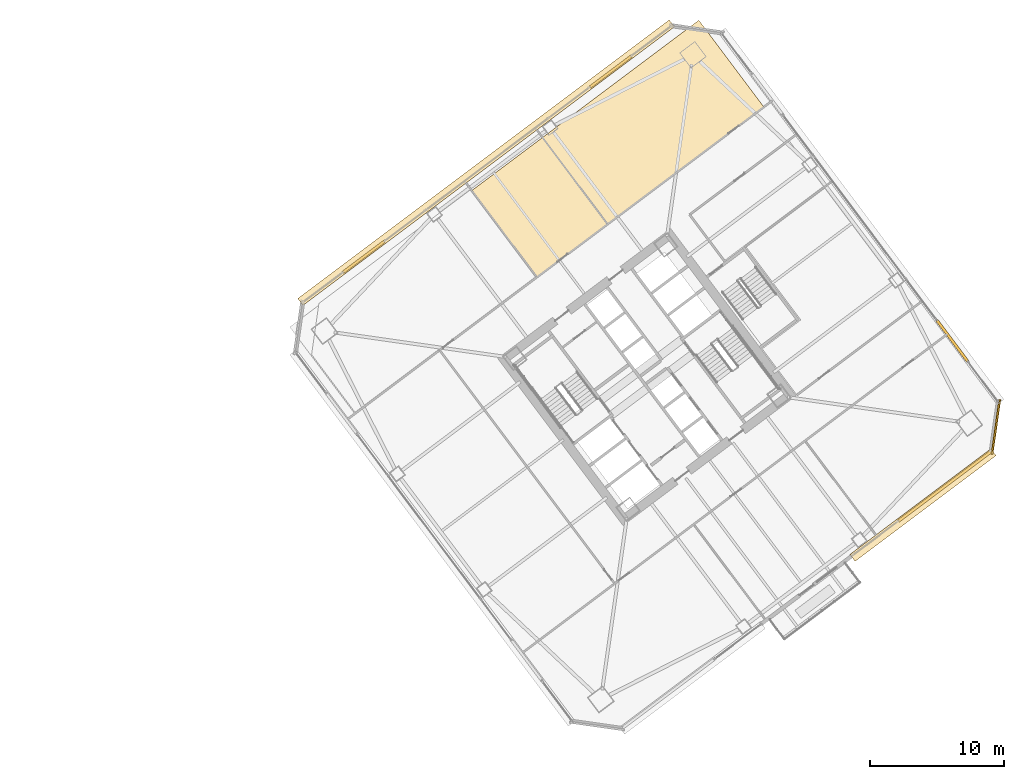
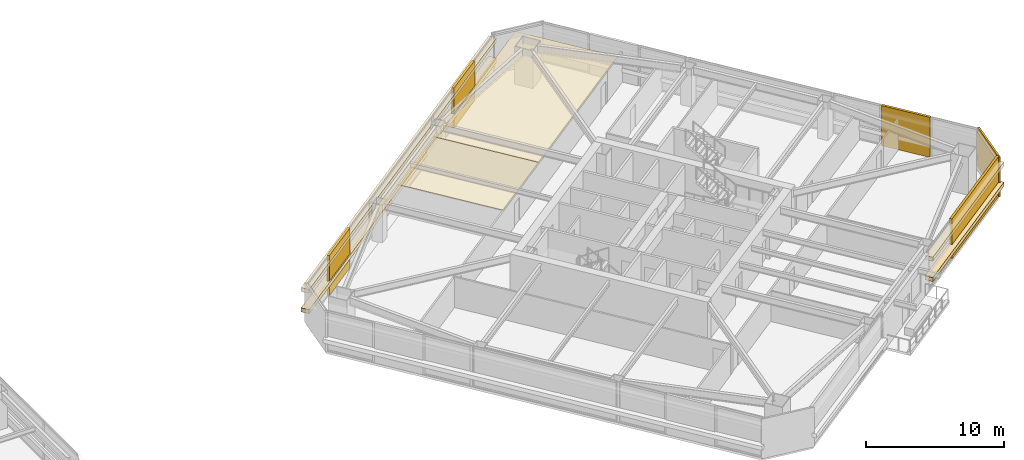
# One storey, part 47 of 48: 11 coverings.
"""IFC4 building model written with IfcOpenShell, lengths in metres."""

from ifc_helpers import new_model, si_unit, direction, frame, origin, origin_2d, place, context, subcontext, project, spatial, polyline, rectangle, outline, extrude, material, layer, layer_set, type_object, element, save


model = new_model("IFC4")

# Units and contexts
model_context = context("Model", 3, precision=1e-05, world=origin(), true_north=direction((0.0, 1.0)))
body_context = subcontext(model_context, "Body", "Model", "MODEL_VIEW")
ifc_project = project(units=[si_unit("LENGTHUNIT", "METRE"), si_unit("AREAUNIT", "SQUARE_METRE"), si_unit("VOLUMEUNIT", "CUBIC_METRE"), si_unit("PLANEANGLEUNIT", "RADIAN"), si_unit("MASSUNIT", "GRAM", prefix="KILO")], contexts=[model_context])

# Site, building, storey
site_placement = place(None, origin())
site = spatial("IfcSite", under=ifc_project, at=site_placement, CompositionType="ELEMENT")
building_placement = place(site_placement, origin())
building = spatial("IfcBuilding", under=site, at=building_placement, Name="Tashvorn Skyway Center", CompositionType="ELEMENT")
storey_placement = place(building_placement, frame((0.0, 0.0, 77.85009765625)))
storey = spatial("IfcBuildingStorey", under=building, at=storey_placement, Name="L20", CompositionType="ELEMENT", Elevation=77.85009765625)

# Coverings
ifc_material_1 = material(Name="Precast concrete C40/50", Category="concrete")
ifc_layer_1 = layer(ifc_material_1, 0.199951171875)
ifc_layer_set_1 = layer_set([ifc_layer_1], Name="Precast concrete C40/50")
covering_type_1 = type_object("IfcCoveringType", Name="COV-BRACE-CLAD", PredefinedType="CLADDING", material=ifc_layer_set_1)
covering_1_placement = place(storey_placement, frame((136.27734375, 23.85791015625, 0.0), z_axis=(0.0, 0.0, 1.0), x_axis=(-0.799999996291, -0.600000004945, 0.0)))
element("IfcCovering", 1, at=covering_1_placement, inside=storey, type_object=covering_type_1, Name="Tower 2 L20 South Curtain Wall L Mega-Brace Cladding Band 1", PredefinedType="CLADDING", context=body_context, shape_type="SweptSolid", body=[
    extrude(rectangle(XDim=8.6865234375, YDim=0.199951171875, at=origin_2d()), origin(), (0.0, 0.0, 1.0), 3.550048828125),
])
for number, where, z_axis, x_axis, name in (
    (2, (92.85595703125, 40.991943359375, 0.0), (0.0, 0.0, 1.0), (0.799999996291, 0.600000004945, 0.0), "Tower 2 L20 North Unitised Curtain Wall Mega-Brace Cladding Band 1"),
    (3, (111.2880859375, 54.81591796875, 0.0), (0.0, 0.0, 1.0), (0.799999996291, 0.600000004945, 0.0), "Tower 2 L20 North Unitised Curtain Wall Mega-Brace Cladding Band 2"),
    (4, (136.81591796875, 34.7119140625, 0.0), (0.0, 0.0, 1.0), (0.600000004945, -0.799999996291, 0.0), "Tower 2 L20 East Unitised Curtain Wall Mega-Brace Cladding Band 2"),
):
    element("IfcCovering", number, at=place(storey_placement, frame(where, z_axis=z_axis, x_axis=x_axis)), inside=storey, type_object=covering_type_1, Name=name, PredefinedType="CLADDING", context=body_context, shape_type="SweptSolid", body=[
        extrude(rectangle(XDim=3.840087890625, YDim=0.199951171875, at=origin_2d()), origin(), (0.0, 0.0, 1.0), 3.550048828125),
    ])
ifc_material_2 = material(Name="Mineral-fibre acoustic ceiling tile on suspended grid")
ifc_layer_2 = layer(ifc_material_2, 0.02001953125)
ifc_layer_set_2 = layer_set([ifc_layer_2], Name="Mineral-fibre acoustic ceiling tile on suspended grid")
covering_type_2 = type_object("IfcCoveringType", Name="COV-CEIL-20", PredefinedType="CEILING", material=ifc_layer_set_2)
covering_2_placement = place(storey_placement, frame((0.0, 0.0, 2.682861328125)))
element("IfcCovering", 5, at=covering_2_placement, inside=storey, type_object=covering_type_2, Name="Tower 2 L20 Conference Room Acoustic Ceiling", PredefinedType="CEILING", context=body_context, shape_type="SweptSolid", body=[
    extrude(outline(polyline([(105.780029296875, 39.4599609375), (111.06005859375, 43.419921875), (106.199951171875, 49.89990234375), (100.919921875, 45.93994140625), (105.780029296875, 39.4599609375)])), origin(), (0.0, 0.0, 1.0), 0.02001953125),
])
covering_3_placement = place(storey_placement, frame((0.0, 0.0, 2.682861328125)))
element("IfcCovering", 6, at=covering_3_placement, inside=storey, type_object=covering_type_2, Name="Tower 2 L20 Collaborative Studio Acoustic Ceiling", PredefinedType="CEILING", context=body_context, shape_type="SweptSolid", body=[
    extrude(outline(polyline([(111.06005859375, 43.419921875), (122.739990234375, 52.179931640625), (117.8798828125, 58.659912109375), (106.199951171875, 49.89990234375), (111.06005859375, 43.419921875)])), origin(), (0.0, 0.0, 1.0), 0.02001953125),
])
ifc_material_3 = material(Name="Perforated ceramic-coated bronze aluminium solar screen", Category="aluminium")
ifc_layer_3 = layer(ifc_material_3, 0.85009765625)
ifc_layer_set_3 = layer_set([ifc_layer_3], Name="Perforated ceramic-coated bronze aluminium solar screen")
covering_type_3 = type_object("IfcCoveringType", Name="COV-SOLAR-BAND", PredefinedType="CLADDING", material=ifc_layer_set_3)
for number, where, z_axis, x_axis, name in (
    (7, (134.6240234375, 22.443115234375, 0.919921875), (0.0, 0.0, 1.0), (-0.799999996291, -0.600000004945, 0.0), "L20 Perforated Ceramic-Metal Solar Screen Louvre Band South 1"),
    (8, (134.6240234375, 22.443115234375, 2.7197265625), (0.0, 0.0, 1.0), (-0.799999996291, -0.600000004945, 0.0), "L20 Perforated Ceramic-Metal Solar Screen Louvre Band South 2"),
):
    element("IfcCovering", number, at=place(storey_placement, frame(where, z_axis=z_axis, x_axis=x_axis)), inside=storey, type_object=covering_type_3, Name=name, PredefinedType="CLADDING", context=body_context, shape_type="SweptSolid", body=[
        extrude(rectangle(XDim=13.14990234375, YDim=0.639892578125, at=origin_2d()), origin(), (0.0, 0.0, 1.0), 0.360107421875),
    ])
for number, where, z_axis, x_axis, name in (
    (9, (101.988037109375, 48.01611328125, 0.919921875), (0.0, 0.0, 1.0), (0.799999996291, 0.600000004945, 0.0), "L20 Perforated Ceramic-Metal Solar Screen Louvre Band North 1"),
    (10, (101.988037109375, 48.01611328125, 2.7197265625), (0.0, 0.0, 1.0), (0.799999996291, 0.600000004945, 0.0), "L20 Perforated Ceramic-Metal Solar Screen Louvre Band North 2"),
):
    element("IfcCovering", number, at=place(storey_placement, frame(where, z_axis=z_axis, x_axis=x_axis)), inside=storey, type_object=covering_type_3, Name=name, PredefinedType="CLADDING", context=body_context, shape_type="SweptSolid", body=[
        extrude(rectangle(XDim=34.679931640625, YDim=0.639892578125, at=origin_2d()), origin(), (0.0, 0.0, 1.0), 0.360107421875),
    ])
ifc_layer_4 = layer(ifc_material_1, 0.35009765625)
ifc_layer_set_4 = layer_set([ifc_layer_4], Name="Precast concrete C40/50")
covering_type_4 = type_object("IfcCoveringType", Name="COV-STONE-TRIM", PredefinedType="CLADDING", material=ifc_layer_set_4)
covering_4_placement = place(storey_placement, frame((140.068115234375, 28.27587890625, 0.02001953125), z_axis=(0.0, 0.0, 1.0), x_axis=(0.141421350118, 0.989949494535, 0.0)))
element("IfcCovering", 11, at=covering_4_placement, inside=storey, type_object=covering_type_4, Name="Tower 2 L20 SE Mojave Limestone Corner Quoin", PredefinedType="CLADDING", context=body_context, shape_type="SweptSolid", body=[
    extrude(rectangle(XDim=4.119873046875, YDim=0.139892578125, at=origin_2d()), origin(), (0.0, 0.0, 1.0), 3.510009765625),
])

save(model, "model.ifc")
